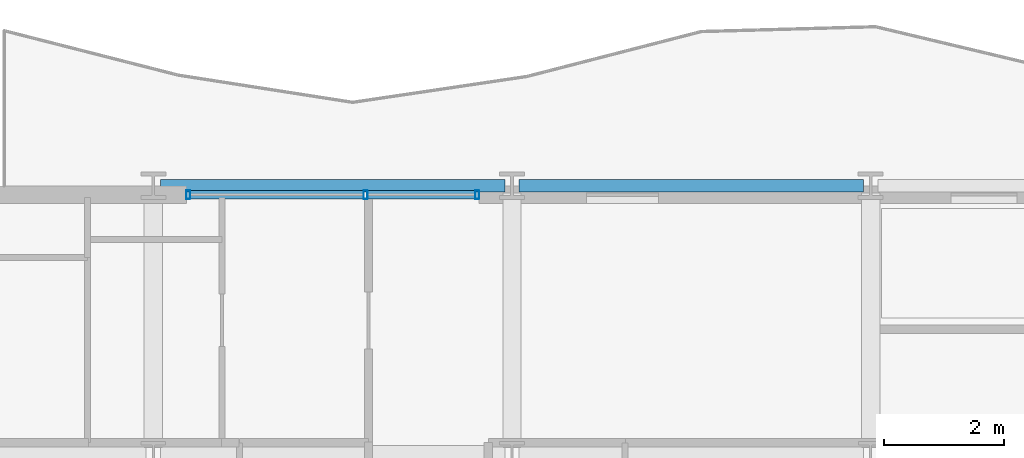
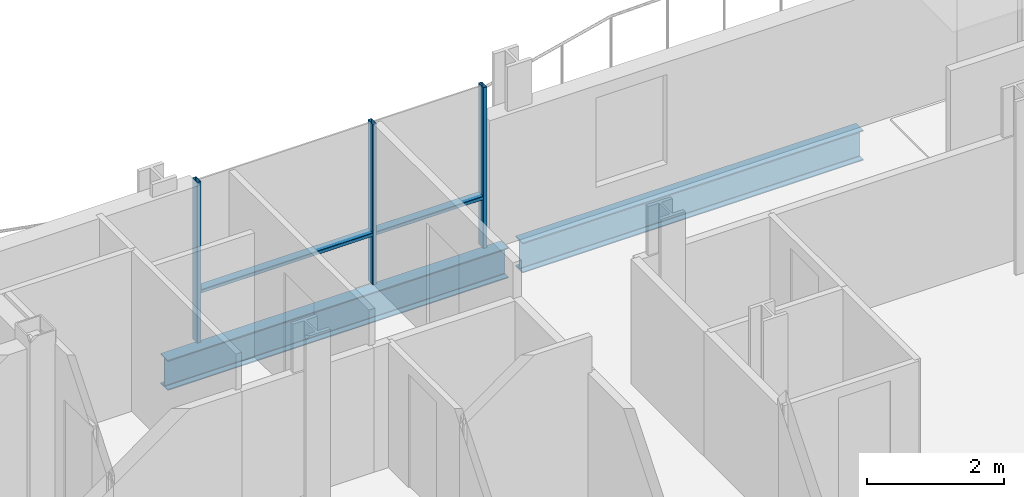
# One storey, part 21 of 40: 5 members, 2 beams, 1 element without a shape of its own.
"""IFC4 building model written with IfcOpenShell, lengths in metres."""

import ifcopenshell
import ifcopenshell.guid

model = None  # the IFC model being written
_history = None  # IfcOwnerHistory: only IFC2X3 demands one
_inside = {}  # id of a spatial element -> (the spatial element, [elements in it])
_under = {}  # id of a project, library or spatial element -> (it, [spatial elements below it])
_declared = {}  # id of a project -> (the project, [libraries it declares])
_typed = {}  # id of a type object -> (the type object, [elements of that type])
_made_of = {}  # id of a material, layer set ... -> (it, [elements and type objects made of it])


def new_model(schema):
    """Start an empty IFC model of exactly this schema.

    Asked for "IFC4X3", IfcOpenShell would pick the latest addendum, in which some entities
    have other attributes; the version numbers below select the first issue.
    IFC2X3 requires an IfcOwnerHistory on every rooted entity: one is made here for all.
    """
    global model, _history
    if schema == "IFC4X3":
        model = ifcopenshell.file(schema_version=(4, 3, 0, 0))
    else:
        model = ifcopenshell.file(schema=schema)
    _inside.clear()
    _under.clear()
    _declared.clear()
    _typed.clear()
    _made_of.clear()
    _history = None
    if model.schema == "IFC2X3":
        org = make("IfcOrganization", Name="unknown")
        user = make(
            "IfcPersonAndOrganization",
            ThePerson=make("IfcPerson", FamilyName="unknown"),
            TheOrganization=org,
        )
        app = make(
            "IfcApplication",
            ApplicationDeveloper=org,
            Version="unknown",
            ApplicationFullName="unknown",
            ApplicationIdentifier="unknown",
        )
        _history = make(
            "IfcOwnerHistory",
            OwningUser=user,
            OwningApplication=app,
            ChangeAction="ADDED",
            CreationDate=0,
        )
    return model


def make(cls, **values):
    """One entity of the class cls with the attributes given. An attribute that is None is left unset."""
    return model.create_entity(
        cls, **{name: value for name, value in values.items() if value is not None}
    )


def rooted(cls, **values):
    """An entity with a GlobalId (a new one), such as an element, a storey or a relation."""
    return make(cls, GlobalId=ifcopenshell.guid.new(), OwnerHistory=_history, **values)


def si_unit(unit_type, name, prefix=None):
    """IfcSIUnit, for example si_unit("LENGTHUNIT", "METRE", prefix="MILLI")."""
    return make("IfcSIUnit", UnitType=unit_type, Prefix=prefix, Name=name)


def assignment(units):
    """IfcUnitAssignment: the units of a project."""
    return None if units is None else make("IfcUnitAssignment", Units=units)


def point(xyz):
    """IfcCartesianPoint."""
    return None if xyz is None else make("IfcCartesianPoint", Coordinates=xyz)


def direction(xyz):
    """IfcDirection."""
    return None if xyz is None else make("IfcDirection", DirectionRatios=xyz)


def frame(location, z_axis=None, x_axis=None):
    """IfcAxis2Placement3D, a coordinate frame: its origin and axes. An axis left out is left unset."""
    return make(
        "IfcAxis2Placement3D",
        Location=point(location),
        Axis=direction(z_axis),
        RefDirection=direction(x_axis),
    )


def frame_2d(location, x_axis=None):
    """IfcAxis2Placement2D, a coordinate frame in the plane: its origin and x axis."""
    return make(
        "IfcAxis2Placement2D", Location=point(location), RefDirection=direction(x_axis)
    )


def origin():
    """The frame at (0, 0, 0) with its axes left unset."""
    return frame((0.0, 0.0, 0.0))


def origin_2d():
    """The frame at (0, 0) in the plane with its x axis left unset."""
    return frame_2d((0.0, 0.0))


def place(relative_to, where):
    """IfcLocalPlacement: puts the frame where relative to a parent placement (None: the world)."""
    return make(
        "IfcLocalPlacement", PlacementRelTo=relative_to, RelativePlacement=where
    )


def context(
    kind, dimensions, precision=None, world=None, true_north=None, identifier=None
):
    """IfcGeometricRepresentationContext, for example the 3D "Model" context."""
    return make(
        "IfcGeometricRepresentationContext",
        ContextIdentifier=identifier,
        ContextType=kind,
        CoordinateSpaceDimension=dimensions,
        Precision=precision,
        WorldCoordinateSystem=world,
        TrueNorth=true_north,
    )


def subcontext(parent, identifier, kind, view, scale=None):
    """IfcGeometricRepresentationSubContext, for example "Body" below "Model"."""
    return make(
        "IfcGeometricRepresentationSubContext",
        ContextIdentifier=identifier,
        ContextType=kind,
        ParentContext=parent,
        TargetScale=scale,
        TargetView=view,
    )


def project(units=None, contexts=None):
    """IfcProject with its units and contexts."""
    return rooted(
        "IfcProject",
        Name="project",
        RepresentationContexts=contexts,
        UnitsInContext=assignment(units),
    )


def spatial(cls, under=None, at=None, **own):
    """A site, building, storey or space (cls), placed at a placement, below another one or the project."""
    s = rooted(cls, ObjectPlacement=at, **own)
    if under is not None:
        _under.setdefault(under.id(), (under, []))[1].append(s)
    return s


def profile(cls, at=None, kind="AREA", **sizes):
    """A parametric profile (cls). Its sizes go by their IFC names, for example OverallWidth=200.0."""
    return make(cls, ProfileType=kind, Position=at, **sizes)


def hollow_rectangle(**sizes):
    """IfcRectangleHollowProfileDef."""
    return profile("IfcRectangleHollowProfileDef", **sizes)


def i_section(**sizes):
    """IfcIShapeProfileDef."""
    return profile("IfcIShapeProfileDef", **sizes)


def extrude(swept, where, along, depth):
    """IfcExtrudedAreaSolid: the profile swept, set in the frame where, extruded along a direction by depth."""
    return make(
        "IfcExtrudedAreaSolid",
        SweptArea=swept,
        Position=where,
        ExtrudedDirection=direction(along),
        Depth=depth,
    )


def shape(context_of_items, identifier, shape_type, items):
    """IfcShapeRepresentation: the items that make up one representation, for example the "Body"."""
    return make(
        "IfcShapeRepresentation",
        ContextOfItems=context_of_items,
        RepresentationIdentifier=identifier,
        RepresentationType=shape_type,
        Items=items,
    )


def material(Name=None, Category=None):
    """IfcMaterial."""
    return make("IfcMaterial", Name=Name, Category=Category)


def layer(
    of_material, thickness, ventilated=None, Name=None, Category=None, Priority=None
):
    """IfcMaterialLayer: one layer of a wall or slab, of a material (None: an air gap)."""
    return make(
        "IfcMaterialLayer",
        Material=of_material,
        LayerThickness=thickness,
        IsVentilated=ventilated,
        Name=Name,
        Category=Category,
        Priority=Priority,
    )


def layer_set(layers, Name=None):
    """IfcMaterialLayerSet."""
    return make("IfcMaterialLayerSet", MaterialLayers=layers, LayerSetName=Name)


def material_profile(
    of_material, cross_section, Name=None, Category=None, Priority=None
):
    """IfcMaterialProfile: a cross section and its material."""
    return make(
        "IfcMaterialProfile",
        Name=Name,
        Material=of_material,
        Profile=cross_section,
        Priority=Priority,
        Category=Category,
    )


def profile_set(profiles, Name=None, composite=None):
    """IfcMaterialProfileSet."""
    return make(
        "IfcMaterialProfileSet",
        Name=Name,
        MaterialProfiles=profiles,
        CompositeProfile=composite,
    )


def made_of(thing, what):
    """Note that an element or type object is made of a material, layer set ...; save() writes the relation."""
    if what is not None:
        _made_of.setdefault(what.id(), (what, []))[1].append(thing)
    return thing


def type_object(cls, material=None, **own):
    """A type object (cls), such as IfcWallType, which elements share."""
    return made_of(rooted(cls, **own), material)


def element(
    cls,
    number,
    at=None,
    inside=None,
    cuts=None,
    type_object=None,
    material=None,
    context=None,
    identifier="Body",
    shape_type=None,
    held_by="IfcProductDefinitionShape",
    body=None,
    shapes=None,
    **own,
):
    """One element of the class cls, such as IfcWall. Its Tag is "e" and its number.

    at: its placement. inside: the storey or other place that contains it. cuts: it is an
    opening in that element (IfcRelVoidsElement). A single representation is given by context,
    identifier, shape_type and body (its items); several are given by shapes. held_by: the class
    of the entity that holds the representations. save() writes the other relations.
    """
    e = rooted(cls, Tag="e%d" % number, ObjectPlacement=at, **own)
    if body is not None:
        shapes = [shape(context, identifier, shape_type, body)]
    if shapes is not None:
        e.Representation = make(held_by, Representations=shapes)
    if inside is not None:
        _inside.setdefault(inside.id(), (inside, []))[1].append(e)
    if cuts is not None:
        rooted(
            "IfcRelVoidsElement", RelatingBuildingElement=cuts, RelatedOpeningElement=e
        )
    if type_object is not None:
        _typed.setdefault(type_object.id(), (type_object, []))[1].append(e)
    return made_of(e, material)


def aggregate(whole, parts):
    """IfcRelAggregates: a whole, such as a stair, and the parts it consists of."""
    return rooted("IfcRelAggregates", RelatingObject=whole, RelatedObjects=parts)


def save(model, path):
    """Write the relations noted so far, then the file.

    IfcRelAggregates (storeys below a building ...), IfcRelContainedInSpatialStructure (elements
    in a storey), IfcRelDefinesByType, IfcRelAssociatesMaterial and IfcRelDeclares: one each for
    every whole, place, type object, material and project.
    """
    for whole, parts in _under.values():
        aggregate(whole, parts)
    for where, things in _inside.values():
        rooted(
            "IfcRelContainedInSpatialStructure",
            RelatedElements=things,
            RelatingStructure=where,
        )
    for kind, things in _typed.values():
        rooted("IfcRelDefinesByType", RelatedObjects=things, RelatingType=kind)
    for what, things in _made_of.values():
        rooted("IfcRelAssociatesMaterial", RelatedObjects=things, RelatingMaterial=what)
    for by, libraries in _declared.values():
        rooted("IfcRelDeclares", RelatingContext=by, RelatedDefinitions=libraries)
    model.write(path)


model = new_model("IFC4")

# Units and contexts
model_context = context("Model", 3, precision=1e-05, world=origin(), true_north=direction((0.0, 1.0)))
body_context = subcontext(model_context, "Body", "Model", "MODEL_VIEW")
ifc_project = project(units=[si_unit("LENGTHUNIT", "METRE"), si_unit("AREAUNIT", "SQUARE_METRE"), si_unit("VOLUMEUNIT", "CUBIC_METRE"), si_unit("PLANEANGLEUNIT", "RADIAN"), si_unit("MASSUNIT", "GRAM", prefix="KILO")], contexts=[model_context])

# Site, building, storey
site_placement = place(None, origin())
site = spatial("IfcSite", under=ifc_project, at=site_placement, CompositionType="ELEMENT")
building_placement = place(site_placement, origin())
building = spatial("IfcBuilding", under=site, at=building_placement, Name="Brevholm Reach", CompositionType="ELEMENT")
storey_placement = place(building_placement, frame((0.0, 0.0, 80.699951171875)))
storey = spatial("IfcBuildingStorey", under=building, at=storey_placement, Name="L23", CompositionType="ELEMENT", Elevation=80.699951171875)

# Beams
ifc_material_1 = material(Name="Structural Steel S355J2", Category="steel")
ifc_material_profile_1 = material_profile(ifc_material_1, i_section(OverallWidth=0.210693359375, OverallDepth=0.53955078125, WebThickness=0.01171875, FlangeThickness=0.018798828125, FilletRadius=0.0126953125, at=origin_2d()), Name="UKB 533x210x109")
ifc_profile_set_1 = profile_set([ifc_material_profile_1], Name="Structural Steel S355J2")
beam_type = type_object("IfcBeamType", Name="BM-SP539", PredefinedType="SPANDREL", material=ifc_profile_set_1)
for number, where, z_axis, x_axis, name in (
    (1, (6.1201171875, 31.0, -0.499755859375), (1.0, 0.0, 0.0), (0.0, 1.0, 0.0), "L23 SP-01B Framing Beam"),
    (2, (12.1201171875, 31.0, -0.499755859375), (1.0, 0.0, 0.0), (0.0, 1.0, 0.0), "L23 SP-01B Framing Beam"),
):
    element("IfcBeam", number, at=place(storey_placement, frame(where, z_axis=z_axis, x_axis=x_axis)), inside=storey, type_object=beam_type, Name=name, PredefinedType="SPANDREL", context=body_context, shape_type="SweptSolid", body=[
        extrude(i_section(OverallWidth=0.210693359375, OverallDepth=0.53955078125, WebThickness=0.01171875, FlangeThickness=0.018798828125, FilletRadius=0.0126953125, at=origin_2d()), origin(), (0.0, 0.0, 1.0), 5.759765625),
    ])

# Curtain wall, members
ifc_material_2 = material(Name="Dark Anodised Aluminium 6063-T6 and Solar-Control Glass", Category="aluminium")
ifc_layer = layer(ifc_material_2, 0.14990234375)
ifc_layer_set = layer_set([ifc_layer], Name="Dark Anodised Aluminium 6063-T6 and Solar-Control Glass")
curtain_wall_type = type_object("IfcCurtainWallType", Name="CW-01", PredefinedType="NOTDEFINED", material=ifc_layer_set)
curtain_wall_placement = place(storey_placement, origin())
curtain_wall = element("IfcCurtainWall", 3, at=curtain_wall_placement, inside=storey, type_object=curtain_wall_type, Name="L23 Curtain Wall CW-01", PredefinedType="NOTDEFINED")
ifc_material_3 = material(Name="Dark Anodised Aluminium 6063-T6", Category="aluminium")
ifc_material_profile_2 = material_profile(ifc_material_3, hollow_rectangle(XDim=0.06494140625, YDim=0.14990234375, WallThickness=0.0048828125, InnerFilletRadius=0.0048828125, OuterFilletRadius=0.010009765625, at=origin_2d()), Name="RHS 150x65x5")
ifc_profile_set_2 = profile_set([ifc_material_profile_2], Name="Dark Anodised Aluminium 6063-T6")
member_type_1 = type_object("IfcMemberType", Name="CWM-150", PredefinedType="MULLION", material=ifc_profile_set_2)
member_1_placement = place(storey_placement, frame((6.58251953125, 30.85009765625, 0.0), z_axis=(0.0, 0.0, 1.0), x_axis=(1.0, 0.0, 0.0)))
member_1 = element("IfcMember", 4, at=member_1_placement, type_object=member_type_1, Name="CM-150 Mullion 1", PredefinedType="MULLION", context=body_context, shape_type="SweptSolid", body=[
    extrude(hollow_rectangle(XDim=0.06494140625, YDim=0.14990234375, WallThickness=0.0048828125, InnerFilletRadius=0.0048828125, OuterFilletRadius=0.010009765625, at=origin_2d()), origin(), (0.0, 0.0, 1.0), 2.8701171875),
])
member_2_placement = place(storey_placement, frame((9.550048828125, 30.85009765625, 0.0), z_axis=(0.0, 0.0, 1.0), x_axis=(1.0, 0.0, 0.0)))
member_2 = element("IfcMember", 5, at=member_2_placement, type_object=member_type_1, Name="CM-150 Mullion 2", PredefinedType="MULLION", context=body_context, shape_type="SweptSolid", body=[
    extrude(hollow_rectangle(XDim=0.06494140625, YDim=0.14990234375, WallThickness=0.0048828125, InnerFilletRadius=0.0048828125, OuterFilletRadius=0.010009765625, at=origin_2d()), origin(), (0.0, 0.0, 1.0), 2.8701171875),
])
member_3_placement = place(storey_placement, frame((11.41748046875, 30.85009765625, 0.0), z_axis=(0.0, 0.0, 1.0), x_axis=(1.0, 0.0, 0.0)))
member_3 = element("IfcMember", 6, at=member_3_placement, type_object=member_type_1, Name="CM-150 Mullion 3", PredefinedType="MULLION", context=body_context, shape_type="SweptSolid", body=[
    extrude(hollow_rectangle(XDim=0.06494140625, YDim=0.14990234375, WallThickness=0.0048828125, InnerFilletRadius=0.0048828125, OuterFilletRadius=0.010009765625, at=origin_2d()), origin(), (0.0, 0.0, 1.0), 2.8701171875),
])
ifc_material_4 = material(Name="Dark Anodised Aluminium 6063-T6", Category="aluminium")
ifc_material_profile_3 = material_profile(ifc_material_4, hollow_rectangle(XDim=0.06494140625, YDim=0.14990234375, WallThickness=0.0048828125, InnerFilletRadius=0.0048828125, OuterFilletRadius=0.010009765625, at=origin_2d()), Name="RHS 150x65x5")
ifc_profile_set_3 = profile_set([ifc_material_profile_3], Name="Dark Anodised Aluminium 6063-T6")
member_type_2 = type_object("IfcMemberType", Name="CWT-150", PredefinedType="NOTDEFINED", material=ifc_profile_set_3)
member_4_placement = place(storey_placement, frame((6.614990234375, 30.85009765625, 0.900146484375), z_axis=(1.0, 0.0, 0.0), x_axis=(0.0, 0.0, 1.0)))
member_4 = element("IfcMember", 7, at=member_4_placement, type_object=member_type_2, Name="CT-150 Transom 1.1", ObjectType="TRANSOM", PredefinedType="USERDEFINED", context=body_context, shape_type="SweptSolid", body=[
    extrude(hollow_rectangle(XDim=0.06494140625, YDim=0.14990234375, WallThickness=0.0048828125, InnerFilletRadius=0.0048828125, OuterFilletRadius=0.010009765625, at=origin_2d()), origin(), (0.0, 0.0, 1.0), 2.902587890625),
])
member_5_placement = place(storey_placement, frame((9.58251953125, 30.85009765625, 0.900146484375), z_axis=(1.0, 0.0, 0.0), x_axis=(0.0, 0.0, 1.0)))
member_5 = element("IfcMember", 8, at=member_5_placement, type_object=member_type_2, Name="CT-150 Transom 2.1", ObjectType="TRANSOM", PredefinedType="USERDEFINED", context=body_context, shape_type="SweptSolid", body=[
    extrude(hollow_rectangle(XDim=0.06494140625, YDim=0.14990234375, WallThickness=0.0048828125, InnerFilletRadius=0.0048828125, OuterFilletRadius=0.010009765625, at=origin_2d()), origin(), (0.0, 0.0, 1.0), 1.802490234375),
])
aggregate(curtain_wall, [member_1, member_2, member_3, member_4, member_5])

save(model, "model.ifc")
